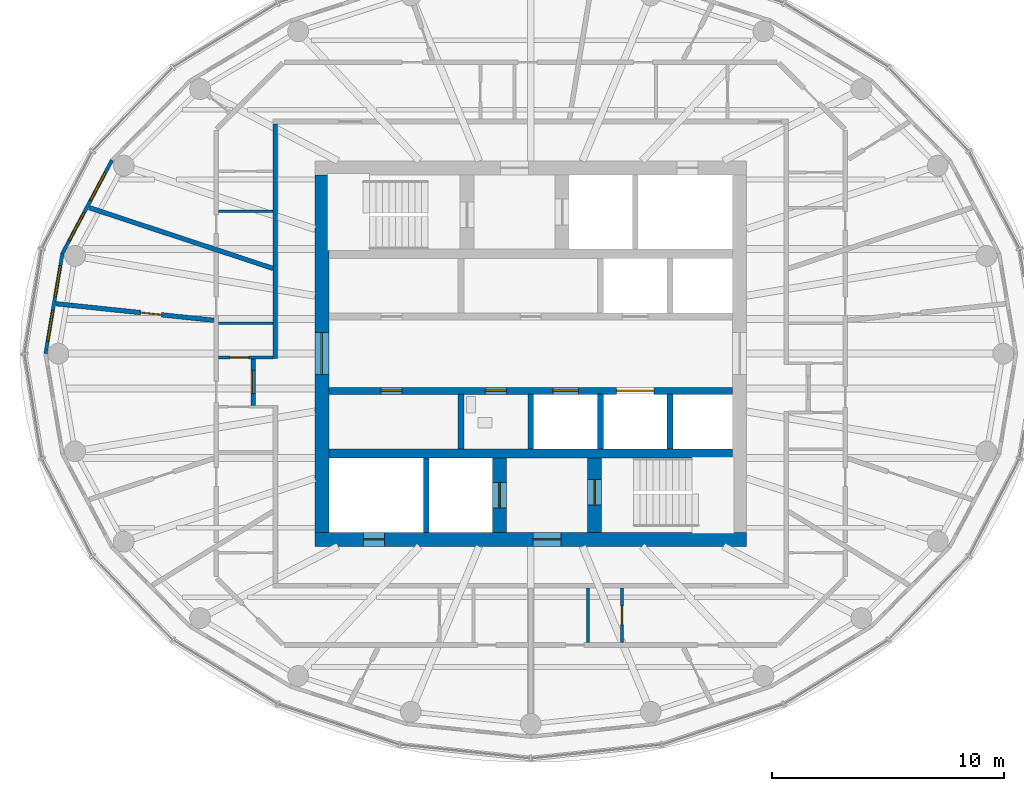
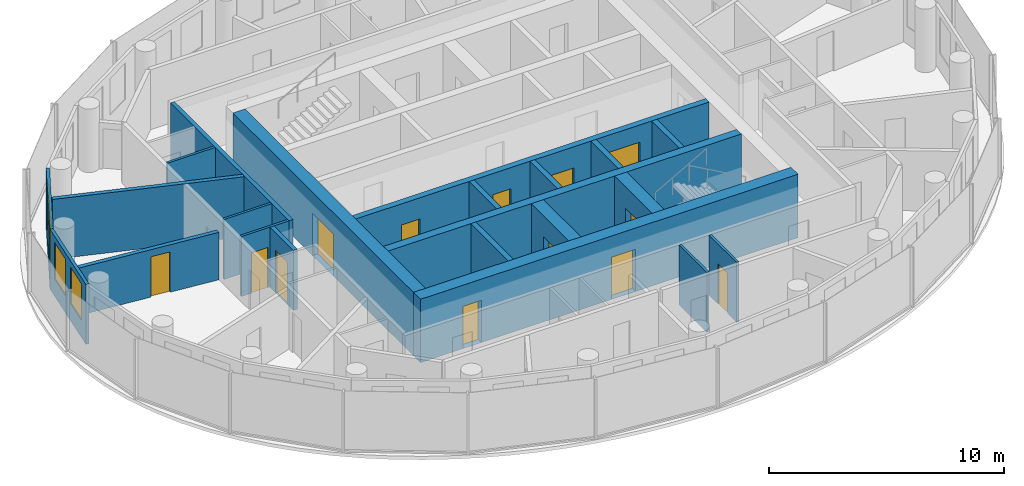
# One storey, part 6 of 12: 22 walls, 13 doors, 4 windows, 17 openings.
"""IFC4 building model written with IfcOpenShell, lengths in metres."""

from ifc_helpers import new_model, si_unit, direction, frame, frame_2d, origin, place, context, subcontext, project, spatial, rectangle, extrude, material, layer, layer_set, type_object, element, fill, save


model = new_model("IFC4")

# Units and contexts
model_context = context("Model", 3, precision=1e-05, world=origin(), true_north=direction((0.0, 1.0)))
body_context = subcontext(model_context, "Body", "Model", "MODEL_VIEW")
ifc_project = project(units=[si_unit("LENGTHUNIT", "METRE"), si_unit("AREAUNIT", "SQUARE_METRE"), si_unit("VOLUMEUNIT", "CUBIC_METRE"), si_unit("PLANEANGLEUNIT", "RADIAN"), si_unit("MASSUNIT", "GRAM", prefix="KILO")], contexts=[model_context])

# Site, building, storey
site_placement = place(None, origin())
site = spatial("IfcSite", under=ifc_project, at=site_placement, CompositionType="ELEMENT")
building_placement = place(site_placement, origin())
building = spatial("IfcBuilding", under=site, at=building_placement, Name="Hankou Lantern Tower", CompositionType="ELEMENT")
storey_placement = place(building_placement, frame((0.0, 0.0, 216.0)))
storey = spatial("IfcBuildingStorey", under=building, at=storey_placement, Name="L58", CompositionType="ELEMENT", Elevation=216.0)

# Wall, openings, doors
ifc_material_1 = material(Name="Concrete C60", Category="concrete")
ifc_layer_1 = layer(ifc_material_1, 0.60009765625)
ifc_layer_set_1 = layer_set([ifc_layer_1], Name="Concrete C60")
wall_type_1 = type_object("IfcWallType", Name="CW3 CORE WALL 600", PredefinedType="SHEAR", material=ifc_layer_set_1)
wall_1_placement = place(storey_placement, frame((9.300048828125, -8.0, 0.0), z_axis=(0.0, 0.0, 1.0), x_axis=(-1.0, 0.0, 0.0)))
wall_1 = element("IfcWall", 1, at=wall_1_placement, inside=storey, type_object=wall_type_1, Name="Core wall south L58", PredefinedType="SHEAR", context=body_context, shape_type="SweptSolid", body=[
    extrude(rectangle(XDim=18.60009765625, YDim=0.60009765625, at=frame_2d((9.300048828125, 0.0))), origin(), (0.0, 0.0, 1.0), 3.300048828125),
])
opening_1_placement = place(wall_1_placement, frame((8.0, 0.0, 0.0)))
opening_1 = element("IfcOpeningElement", 2, at=opening_1_placement, cuts=wall_1, Name="Opening D5", PredefinedType="OPENING", context=body_context, shape_type="SweptSolid", body=[
    extrude(rectangle(XDim=1.199951171875, YDim=2.199951171875, at=frame_2d((0.60009765625, 1.10009765625))), frame((0.0, 0.31005859375, 0.0), z_axis=(0.0, -1.0, 0.0), x_axis=(1.0, 0.0, 0.0)), (0.0, 0.0, 1.0), 0.6201171875),
])
opening_2_placement = place(wall_1_placement, frame((15.60009765625, 0.0, 0.0)))
opening_2 = element("IfcOpeningElement", 3, at=opening_2_placement, cuts=wall_1, Name="Opening D7", PredefinedType="OPENING", context=body_context, shape_type="SweptSolid", body=[
    extrude(rectangle(XDim=0.89990234375, YDim=2.199951171875, at=frame_2d((0.449951171875, 1.10009765625))), frame((0.0, 0.31005859375, 0.0), z_axis=(0.0, -1.0, 0.0), x_axis=(1.0, 0.0, 0.0)), (0.0, 0.0, 1.0), 0.6201171875),
])
ifc_material_2 = material(Name="Steel door leaf", Category="steel")
door_type_1 = type_object("IfcDoorType", Name="D5 STAIR LOBBY DOOR 1200X2200", OperationType="SINGLE_SWING_LEFT", PredefinedType="DOOR", material=ifc_material_2)
door_1_placement = place(opening_1_placement, origin())
door_1 = element("IfcDoor", 4, at=door_1_placement, inside=storey, type_object=door_type_1, Name="Stair B lobby door", OperationType="SINGLE_SWING_LEFT", OverallHeight=2.199951171875, OverallWidth=1.199951171875, PredefinedType="DOOR", context=body_context, shape_type="SweptSolid", body=[
    extrude(rectangle(XDim=1.199951171875, YDim=2.199951171875, at=frame_2d((0.60009765625, 1.10009765625))), frame((0.0, 0.02490234375, 0.0), z_axis=(0.0, -1.0, 0.0), x_axis=(1.0, 0.0, 0.0)), (0.0, 0.0, 1.0), 0.050048828125),
])
fill(opening_1, door_1)
ifc_material_3 = material(Name="Steel door leaf", Category="steel")
door_type_2 = type_object("IfcDoorType", Name="D7 RISER DOOR 900X2200", OperationType="SINGLE_SWING_LEFT", PredefinedType="DOOR", material=ifc_material_3)
door_2_placement = place(opening_2_placement, origin())
door_2 = element("IfcDoor", 5, at=door_2_placement, inside=storey, type_object=door_type_2, Name="Riser S1 door", OperationType="SINGLE_SWING_RIGHT", OverallHeight=2.199951171875, OverallWidth=0.89990234375, PredefinedType="DOOR", context=body_context, shape_type="SweptSolid", body=[
    extrude(rectangle(XDim=0.89990234375, YDim=2.199951171875, at=frame_2d((0.449951171875, 1.10009765625))), frame((0.0, 0.02490234375, 0.0), z_axis=(0.0, -1.0, 0.0), x_axis=(1.0, 0.0, 0.0)), (0.0, 0.0, 1.0), 0.050048828125),
])
fill(opening_2, door_2)

# Wall, opening, door
wall_2_placement = place(storey_placement, frame((-9.0, 7.699951171875, 0.0), z_axis=(0.0, 0.0, 1.0), x_axis=(0.0, -1.0, 0.0)))
wall_2 = element("IfcWall", 6, at=wall_2_placement, inside=storey, type_object=wall_type_1, Name="Core wall west L58", PredefinedType="SHEAR", context=body_context, shape_type="SweptSolid", body=[
    extrude(rectangle(XDim=15.39990234375, YDim=0.60009765625, at=frame_2d((7.699951171875, 0.0))), origin(), (0.0, 0.0, 1.0), 3.300048828125),
])
opening_3_placement = place(wall_2_placement, frame((6.800048828125, 0.0, 0.0)))
opening_3 = element("IfcOpeningElement", 7, at=opening_3_placement, cuts=wall_2, Name="Opening D6", PredefinedType="OPENING", context=body_context, shape_type="SweptSolid", body=[
    extrude(rectangle(XDim=1.800048828125, YDim=2.199951171875, at=frame_2d((0.89990234375, 1.10009765625))), frame((0.0, 0.31005859375, 0.0), z_axis=(0.0, -1.0, 0.0), x_axis=(1.0, 0.0, 0.0)), (0.0, 0.0, 1.0), 0.6201171875),
])
ifc_material_4 = material(Name="Steel door leaf", Category="steel")
door_type_3 = type_object("IfcDoorType", Name="D6 LIFT LOBBY DOOR 1800X2200", OperationType="DOUBLE_DOOR_DOUBLE_SWING", PredefinedType="DOOR", material=ifc_material_4)
door_3_placement = place(opening_3_placement, origin())
door_3 = element("IfcDoor", 8, at=door_3_placement, inside=storey, type_object=door_type_3, Name="Lift lobby west door", OperationType="DOUBLE_DOOR_DOUBLE_SWING", OverallHeight=2.199951171875, OverallWidth=1.800048828125, PredefinedType="DOOR", context=body_context, shape_type="SweptSolid", body=[
    extrude(rectangle(XDim=1.800048828125, YDim=2.199951171875, at=frame_2d((0.89990234375, 1.10009765625))), frame((0.0, 0.02490234375, 0.0), z_axis=(0.0, -1.0, 0.0), x_axis=(1.0, 0.0, 0.0)), (0.0, 0.0, 1.0), 0.050048828125),
])
fill(opening_3, door_3)

# Wall
ifc_material_5 = material(Name="Concrete C60", Category="concrete")
ifc_layer_2 = layer(ifc_material_5, 0.39990234375)
ifc_layer_set_2 = layer_set([ifc_layer_2], Name="Concrete C60")
wall_type_2 = type_object("IfcWallType", Name="CW4 CORE CROSS WALL 400", PredefinedType="SHEAR", material=ifc_layer_set_2)
wall_3_placement = place(storey_placement, frame((-8.699951171875, -4.300048828125, 0.0), z_axis=(0.0, 0.0, 1.0), x_axis=(1.0, 0.0, 0.0)))
element("IfcWall", 9, at=wall_3_placement, inside=storey, type_object=wall_type_2, Name="Core band wall south L58", PredefinedType="SHEAR", context=body_context, shape_type="SweptSolid", body=[
    extrude(rectangle(XDim=17.39990234375, YDim=0.39990234375, at=frame_2d((8.699951171875, 0.0))), origin(), (0.0, 0.0, 1.0), 3.300048828125),
])

# Wall, openings, doors
ifc_material_6 = material(Name="Concrete C60", Category="concrete")
ifc_layer_3 = layer(ifc_material_6, 0.300048828125)
ifc_layer_set_3 = layer_set([ifc_layer_3], Name="Concrete C60")
wall_type_3 = type_object("IfcWallType", Name="CW5 LIFT LOBBY WALL 300", PredefinedType="SHEAR", material=ifc_layer_set_3)
wall_4_placement = place(storey_placement, frame((-8.699951171875, -1.60009765625, 0.0), z_axis=(0.0, 0.0, 1.0), x_axis=(1.0, 0.0, 0.0)))
wall_4 = element("IfcWall", 10, at=wall_4_placement, inside=storey, type_object=wall_type_3, Name="Lift lobby wall south L58", PredefinedType="SHEAR", context=body_context, shape_type="SweptSolid", body=[
    extrude(rectangle(XDim=17.39990234375, YDim=0.300048828125, at=frame_2d((8.699951171875, 0.0))), origin(), (0.0, 0.0, 1.0), 3.300048828125),
])
opening_4_placement = place(wall_4_placement, frame((9.64990234375, 0.0, 0.0)))
opening_4 = element("IfcOpeningElement", 11, at=opening_4_placement, cuts=wall_4, Name="Opening LD1", PredefinedType="OPENING", context=body_context, shape_type="SweptSolid", body=[
    extrude(rectangle(XDim=1.10009765625, YDim=2.199951171875, at=frame_2d((0.550048828125, 1.10009765625))), frame((0.0, 0.159912109375, 0.0), z_axis=(0.0, -1.0, 0.0), x_axis=(1.0, 0.0, 0.0)), (0.0, 0.0, 1.0), 0.320068359375),
])
opening_5_placement = place(wall_4_placement, frame((12.39990234375, 0.0, 0.0)))
opening_5 = element("IfcOpeningElement", 12, at=opening_5_placement, cuts=wall_4, Name="Opening LD4", PredefinedType="OPENING", context=body_context, shape_type="SweptSolid", body=[
    extrude(rectangle(XDim=1.60009765625, YDim=2.39990234375, at=frame_2d((0.800048828125, 1.199951171875))), frame((0.0, 0.159912109375, 0.0), z_axis=(0.0, -1.0, 0.0), x_axis=(1.0, 0.0, 0.0)), (0.0, 0.0, 1.0), 0.320068359375),
])
opening_6_placement = place(wall_4_placement, frame((2.25, 0.0, 0.0)))
opening_6 = element("IfcOpeningElement", 13, at=opening_6_placement, cuts=wall_4, Name="Opening D30", PredefinedType="OPENING", context=body_context, shape_type="SweptSolid", body=[
    extrude(rectangle(XDim=0.89990234375, YDim=2.199951171875, at=frame_2d((0.449951171875, 1.10009765625))), frame((0.0, 0.159912109375, 0.0), z_axis=(0.0, -1.0, 0.0), x_axis=(1.0, 0.0, 0.0)), (0.0, 0.0, 1.0), 0.320068359375),
])
opening_7_placement = place(wall_4_placement, frame((6.75, 0.0, 0.0)))
opening_7 = element("IfcOpeningElement", 14, at=opening_7_placement, cuts=wall_4, Name="Opening D30", PredefinedType="OPENING", context=body_context, shape_type="SweptSolid", body=[
    extrude(rectangle(XDim=0.89990234375, YDim=2.199951171875, at=frame_2d((0.449951171875, 1.10009765625))), frame((0.0, 0.159912109375, 0.0), z_axis=(0.0, -1.0, 0.0), x_axis=(1.0, 0.0, 0.0)), (0.0, 0.0, 1.0), 0.320068359375),
])
ifc_material_7 = material(Name="Steel door leaf", Category="steel")
door_type_4 = type_object("IfcDoorType", Name="D30 CORE ROOM DOOR 900X2200", OperationType="SINGLE_SWING_LEFT", PredefinedType="DOOR", material=ifc_material_7)
door_4_placement = place(opening_6_placement, origin())
door_4 = element("IfcDoor", 15, at=door_4_placement, inside=storey, type_object=door_type_4, Name="Housekeeping and linen store door", OperationType="SINGLE_SWING_LEFT", OverallHeight=2.199951171875, OverallWidth=0.89990234375, PredefinedType="DOOR", context=body_context, shape_type="SweptSolid", body=[
    extrude(rectangle(XDim=0.89990234375, YDim=2.199951171875, at=frame_2d((0.449951171875, 1.10009765625))), frame((0.0, 0.02490234375, 0.0), z_axis=(0.0, -1.0, 0.0), x_axis=(1.0, 0.0, 0.0)), (0.0, 0.0, 1.0), 0.050048828125),
])
fill(opening_6, door_4)
door_5_placement = place(opening_7_placement, origin())
door_5 = element("IfcDoor", 16, at=door_5_placement, inside=storey, type_object=door_type_4, Name="Accessible staff WC door", OperationType="SINGLE_SWING_LEFT", OverallHeight=2.199951171875, OverallWidth=0.89990234375, PredefinedType="DOOR", context=body_context, shape_type="SweptSolid", body=[
    extrude(rectangle(XDim=0.89990234375, YDim=2.199951171875, at=frame_2d((0.449951171875, 1.10009765625))), frame((0.0, 0.02490234375, 0.0), z_axis=(0.0, -1.0, 0.0), x_axis=(1.0, 0.0, 0.0)), (0.0, 0.0, 1.0), 0.050048828125),
])
fill(opening_7, door_5)
ifc_material_8 = material(Name="Steel door leaf", Category="steel")
door_type_5 = type_object("IfcDoorType", Name="LD1 LIFT LANDING DOOR 1100X2200", OperationType="DOUBLE_DOOR_SLIDING", PredefinedType="DOOR", material=ifc_material_8)
door_6_placement = place(opening_4_placement, origin())
door_6 = element("IfcDoor", 17, at=door_6_placement, inside=storey, type_object=door_type_5, Name="Lift T2 landing door", OperationType="DOUBLE_DOOR_SLIDING", OverallHeight=2.199951171875, OverallWidth=1.10009765625, PredefinedType="DOOR", context=body_context, shape_type="SweptSolid", body=[
    extrude(rectangle(XDim=1.10009765625, YDim=2.199951171875, at=frame_2d((0.550048828125, 1.10009765625))), frame((0.0, 0.02490234375, 0.0), z_axis=(0.0, -1.0, 0.0), x_axis=(1.0, 0.0, 0.0)), (0.0, 0.0, 1.0), 0.050048828125),
])
fill(opening_4, door_6)
ifc_material_9 = material(Name="Steel door leaf", Category="steel")
door_type_6 = type_object("IfcDoorType", Name="LD4 SERVICE LIFT LANDING DOOR 1600X2400", OperationType="DOUBLE_DOOR_SLIDING", PredefinedType="DOOR", material=ifc_material_9)
door_7_placement = place(opening_5_placement, origin())
door_7 = element("IfcDoor", 18, at=door_7_placement, inside=storey, type_object=door_type_6, Name="Lift SV1 landing door", OperationType="DOUBLE_DOOR_SLIDING", OverallHeight=2.39990234375, OverallWidth=1.60009765625, PredefinedType="DOOR", context=body_context, shape_type="SweptSolid", body=[
    extrude(rectangle(XDim=1.60009765625, YDim=2.39990234375, at=frame_2d((0.800048828125, 1.199951171875))), frame((0.0, 0.02490234375, 0.0), z_axis=(0.0, -1.0, 0.0), x_axis=(1.0, 0.0, 0.0)), (0.0, 0.0, 1.0), 0.050048828125),
])
fill(opening_5, door_7)

# Wall, opening, door
ifc_material_10 = material(Name="Concrete C60", Category="concrete")
ifc_layer_4 = layer(ifc_material_10, 0.60009765625)
ifc_layer_set_4 = layer_set([ifc_layer_4], Name="Concrete C60")
wall_type_4 = type_object("IfcWallType", Name="CW6 STAIR AND SHAFT WALL 600", PredefinedType="SHEAR", material=ifc_layer_set_4)
wall_5_placement = place(storey_placement, frame((2.75, -7.699951171875, 0.0), z_axis=(0.0, 0.0, 1.0), x_axis=(0.0, 1.0, 0.0)))
wall_5 = element("IfcWall", 19, at=wall_5_placement, inside=storey, type_object=wall_type_4, Name="Stair wall L58", PredefinedType="SHEAR", context=body_context, shape_type="SweptSolid", body=[
    extrude(rectangle(XDim=3.199951171875, YDim=0.60009765625, at=frame_2d((1.60009765625, 0.0))), origin(), (0.0, 0.0, 1.0), 3.300048828125),
])
opening_8_placement = place(wall_5_placement, frame((1.175048828125, 0.0, 0.0)))
opening_8 = element("IfcOpeningElement", 20, at=opening_8_placement, cuts=wall_5, Name="Opening D4", PredefinedType="OPENING", context=body_context, shape_type="SweptSolid", body=[
    extrude(rectangle(XDim=1.10009765625, YDim=2.199951171875, at=frame_2d((0.550048828125, 1.10009765625))), frame((0.0, 0.31005859375, 0.0), z_axis=(0.0, -1.0, 0.0), x_axis=(1.0, 0.0, 0.0)), (0.0, 0.0, 1.0), 0.6201171875),
])
ifc_material_11 = material(Name="Steel door leaf", Category="steel")
door_type_7 = type_object("IfcDoorType", Name="D4 STAIR DOOR 1100X2200", OperationType="SINGLE_SWING_LEFT", PredefinedType="DOOR", material=ifc_material_11)
door_8_placement = place(opening_8_placement, origin())
door_8 = element("IfcDoor", 21, at=door_8_placement, inside=storey, type_object=door_type_7, Name="Stair B door", OperationType="SINGLE_SWING_RIGHT", OverallHeight=2.199951171875, OverallWidth=1.10009765625, PredefinedType="DOOR", context=body_context, shape_type="SweptSolid", body=[
    extrude(rectangle(XDim=1.10009765625, YDim=2.199951171875, at=frame_2d((0.550048828125, 1.10009765625))), frame((0.0, 0.02490234375, 0.0), z_axis=(0.0, -1.0, 0.0), x_axis=(1.0, 0.0, 0.0)), (0.0, 0.0, 1.0), 0.050048828125),
])
fill(opening_8, door_8)

wall_6_placement = place(storey_placement, frame((-1.35009765625, -7.699951171875, 0.0), z_axis=(0.0, 0.0, 1.0), x_axis=(0.0, 1.0, 0.0)))
wall_6 = element("IfcWall", 22, at=wall_6_placement, inside=storey, type_object=wall_type_4, Name="Firefighting lift shaft wall L58", PredefinedType="SHEAR", context=body_context, shape_type="SweptSolid", body=[
    extrude(rectangle(XDim=3.199951171875, YDim=0.60009765625, at=frame_2d((1.60009765625, 0.0))), origin(), (0.0, 0.0, 1.0), 3.300048828125),
])
opening_9_placement = place(wall_6_placement, frame((1.050048828125, 0.0, 0.0)))
opening_9 = element("IfcOpeningElement", 23, at=opening_9_placement, cuts=wall_6, Name="Opening LD2", PredefinedType="OPENING", context=body_context, shape_type="SweptSolid", body=[
    extrude(rectangle(XDim=1.10009765625, YDim=2.199951171875, at=frame_2d((0.550048828125, 1.10009765625))), frame((0.0, 0.31005859375, 0.0), z_axis=(0.0, -1.0, 0.0), x_axis=(1.0, 0.0, 0.0)), (0.0, 0.0, 1.0), 0.6201171875),
])
ifc_material_12 = material(Name="Steel door leaf", Category="steel")
door_type_8 = type_object("IfcDoorType", Name="LD2 FIREFIGHTING LIFT LANDING DOOR 1100X2200", OperationType="DOUBLE_DOOR_SLIDING", PredefinedType="DOOR", material=ifc_material_12)
door_9_placement = place(opening_9_placement, origin())
door_9 = element("IfcDoor", 24, at=door_9_placement, inside=storey, type_object=door_type_8, Name="Firefighting lift FL2 landing door", OperationType="DOUBLE_DOOR_SLIDING", OverallHeight=2.199951171875, OverallWidth=1.10009765625, PredefinedType="DOOR", context=body_context, shape_type="SweptSolid", body=[
    extrude(rectangle(XDim=1.10009765625, YDim=2.199951171875, at=frame_2d((0.550048828125, 1.10009765625))), frame((0.0, 0.02490234375, 0.0), z_axis=(0.0, -1.0, 0.0), x_axis=(1.0, 0.0, 0.0)), (0.0, 0.0, 1.0), 0.050048828125),
])
fill(opening_9, door_9)

# Wall, openings, windows
ifc_material_13 = material(Name="Aluminium spandrel panel on steel studs", Category="steel")
ifc_layer_5 = layer(ifc_material_13, 0.14990234375)
ifc_layer_set_5 = layer_set([ifc_layer_5], Name="Aluminium spandrel panel on steel studs")
wall_type_5 = type_object("IfcWallType", Name="EW1 INNER SKIN WALL 150", PredefinedType="ELEMENTEDWALL", material=ifc_layer_set_5)
wall_7_placement = place(storey_placement, frame((-18.03955078125, 8.33203125, 0.0), z_axis=(0.0, 0.0, 1.0), x_axis=(-0.469256152955, -0.883062094597, 0.0)))
wall_7 = element("IfcWall", 25, at=wall_7_placement, inside=storey, type_object=wall_type_5, Name="Inner skin R11-R12 L58", PredefinedType="ELEMENTEDWALL", context=body_context, shape_type="SweptSolid", body=[
    extrude(rectangle(XDim=4.539306640625, YDim=0.14990234375, at=frame_2d((2.26953125, 0.0))), origin(), (0.0, 0.0, 1.0), 3.1201171875),
])
opening_10_placement = place(wall_7_placement, frame((0.61962890625, 0.0, 0.89990234375)))
opening_10 = element("IfcOpeningElement", 26, at=opening_10_placement, cuts=wall_7, Name="Opening W4", PredefinedType="OPENING", context=body_context, shape_type="SweptSolid", body=[
    extrude(rectangle(XDim=1.35009765625, YDim=1.89990234375, at=frame_2d((0.675048828125, 0.949951171875))), frame((0.0, 0.0849609375, 0.0), z_axis=(0.0, -1.0, 0.0), x_axis=(1.0, 0.0, 0.0)), (0.0, 0.0, 1.0), 0.169921875),
])
opening_11_placement = place(wall_7_placement, frame((2.569580078125, 0.0, 0.89990234375)))
opening_11 = element("IfcOpeningElement", 27, at=opening_11_placement, cuts=wall_7, Name="Opening W4", PredefinedType="OPENING", context=body_context, shape_type="SweptSolid", body=[
    extrude(rectangle(XDim=1.35009765625, YDim=1.89990234375, at=frame_2d((0.675048828125, 0.949951171875))), frame((0.0, 0.0849609375, 0.0), z_axis=(0.0, -1.0, 0.0), x_axis=(1.0, 0.0, 0.0)), (0.0, 0.0, 1.0), 0.169921875),
])
ifc_material_14 = material(Name="Aluminium framed double glazed window", Category="aluminium")
window_type = type_object("IfcWindowType", Name="W4 SUITE WINDOW 1350X1900", PartitioningType="DOUBLE_PANEL_VERTICAL", PredefinedType="WINDOW", material=ifc_material_14)
window_1_placement = place(opening_10_placement, origin())
window_1 = element("IfcWindow", 28, at=window_1_placement, inside=storey, type_object=window_type, Name="Window R11.1 L58", OverallHeight=1.89990234375, OverallWidth=1.35009765625, PartitioningType="SINGLE_PANEL", PredefinedType="WINDOW", context=body_context, shape_type="SweptSolid", body=[
    extrude(rectangle(XDim=1.35009765625, YDim=1.89990234375, at=frame_2d((0.675048828125, 0.949951171875))), frame((0.0, 0.030029296875, 0.0), z_axis=(0.0, -1.0, 0.0), x_axis=(1.0, 0.0, 0.0)), (0.0, 0.0, 1.0), 0.06005859375),
])
fill(opening_10, window_1)
window_2_placement = place(opening_11_placement, origin())
window_2 = element("IfcWindow", 29, at=window_2_placement, inside=storey, type_object=window_type, Name="Window R11.2 L58", OverallHeight=1.89990234375, OverallWidth=1.35009765625, PartitioningType="SINGLE_PANEL", PredefinedType="WINDOW", context=body_context, shape_type="SweptSolid", body=[
    extrude(rectangle(XDim=1.35009765625, YDim=1.89990234375, at=frame_2d((0.675048828125, 0.949951171875))), frame((0.0, 0.030029296875, 0.0), z_axis=(0.0, -1.0, 0.0), x_axis=(1.0, 0.0, 0.0)), (0.0, 0.0, 1.0), 0.06005859375),
])
fill(opening_11, window_2)

wall_8_placement = place(storey_placement, frame((-20.169677734375, 4.323486328125, 0.0), z_axis=(0.0, 0.0, 1.0), x_axis=(-0.166538513568, -0.986034950445, 0.0)))
wall_8 = element("IfcWall", 30, at=wall_8_placement, inside=storey, type_object=wall_type_5, Name="Inner skin R12-R13 L58", PredefinedType="ELEMENTEDWALL", context=body_context, shape_type="SweptSolid", body=[
    extrude(rectangle(XDim=4.384765625, YDim=0.14990234375, at=frame_2d((2.1923828125, 0.0))), origin(), (0.0, 0.0, 1.0), 3.1201171875),
])
opening_12_placement = place(wall_8_placement, frame((0.54248046875, 0.0, 0.89990234375)))
opening_12 = element("IfcOpeningElement", 31, at=opening_12_placement, cuts=wall_8, Name="Opening W4", PredefinedType="OPENING", context=body_context, shape_type="SweptSolid", body=[
    extrude(rectangle(XDim=1.35009765625, YDim=1.89990234375, at=frame_2d((0.675048828125, 0.949951171875))), frame((0.0, 0.0849609375, 0.0), z_axis=(0.0, -1.0, 0.0), x_axis=(1.0, 0.0, 0.0)), (0.0, 0.0, 1.0), 0.169921875),
])
opening_13_placement = place(wall_8_placement, frame((2.492431640625, 0.0, 0.89990234375)))
opening_13 = element("IfcOpeningElement", 32, at=opening_13_placement, cuts=wall_8, Name="Opening W4", PredefinedType="OPENING", context=body_context, shape_type="SweptSolid", body=[
    extrude(rectangle(XDim=1.35009765625, YDim=1.89990234375, at=frame_2d((0.675048828125, 0.949951171875))), frame((0.0, 0.0849609375, 0.0), z_axis=(0.0, -1.0, 0.0), x_axis=(1.0, 0.0, 0.0)), (0.0, 0.0, 1.0), 0.169921875),
])
window_3_placement = place(opening_12_placement, origin())
window_3 = element("IfcWindow", 33, at=window_3_placement, inside=storey, type_object=window_type, Name="Window R12.1 L58", OverallHeight=1.89990234375, OverallWidth=1.35009765625, PartitioningType="SINGLE_PANEL", PredefinedType="WINDOW", context=body_context, shape_type="SweptSolid", body=[
    extrude(rectangle(XDim=1.35009765625, YDim=1.89990234375, at=frame_2d((0.675048828125, 0.949951171875))), frame((0.0, 0.030029296875, 0.0), z_axis=(0.0, -1.0, 0.0), x_axis=(1.0, 0.0, 0.0)), (0.0, 0.0, 1.0), 0.06005859375),
])
fill(opening_12, window_3)
window_4_placement = place(opening_13_placement, origin())
window_4 = element("IfcWindow", 34, at=window_4_placement, inside=storey, type_object=window_type, Name="Window R12.2 L58", OverallHeight=1.89990234375, OverallWidth=1.35009765625, PartitioningType="SINGLE_PANEL", PredefinedType="WINDOW", context=body_context, shape_type="SweptSolid", body=[
    extrude(rectangle(XDim=1.35009765625, YDim=1.89990234375, at=frame_2d((0.675048828125, 0.949951171875))), frame((0.0, 0.030029296875, 0.0), z_axis=(0.0, -1.0, 0.0), x_axis=(1.0, 0.0, 0.0)), (0.0, 0.0, 1.0), 0.06005859375),
])
fill(opening_13, window_4)

# Walls
ifc_material_15 = material(Name="Masonry lightweight concrete block", Category="masonry")
ifc_layer_6 = layer(ifc_material_15, 0.199951171875)
ifc_layer_set_6 = layer_set([ifc_layer_6], Name="Masonry lightweight concrete block")
wall_type_6 = type_object("IfcWallType", Name="IW1 GUEST ROOM PARTY WALL 200", PredefinedType="PARTITIONING", material=ifc_layer_set_6)
wall_9_placement = place(storey_placement, frame((-11.10009765625, 3.668701171875, 0.0), z_axis=(0.0, 0.0, 1.0), x_axis=(-0.949476668397, 0.313837627079, 0.0)))
element("IfcWall", 35, at=wall_9_placement, inside=storey, type_object=wall_type_6, Name="Party wall R11-R12", PredefinedType="PARTITIONING", context=body_context, shape_type="SweptSolid", body=[
    extrude(rectangle(XDim=8.338623046875, YDim=0.199951171875, at=frame_2d((4.16943359375, 0.0))), origin(), (0.0, 0.0, 1.0), 3.1201171875),
])
ifc_material_16 = material(Name="Masonry lightweight concrete block", Category="masonry")
ifc_layer_7 = layer(ifc_material_16, 0.199951171875)
ifc_layer_set_7 = layer_set([ifc_layer_7], Name="Masonry lightweight concrete block")
wall_type_7 = type_object("IfcWallType", Name="IW2 CORRIDOR WALL 200", PredefinedType="PARTITIONING", material=ifc_layer_set_7)
wall_10_placement = place(storey_placement, frame((-11.0, 9.89990234375, 0.0), z_axis=(0.0, 0.0, 1.0), x_axis=(0.0, -1.0, 0.0)))
element("IfcWall", 36, at=wall_10_placement, inside=storey, type_object=wall_type_7, Name="Corridor wall west", PredefinedType="PARTITIONING", context=body_context, shape_type="SweptSolid", body=[
    extrude(rectangle(XDim=10.1142578125, YDim=0.199951171875, at=frame_2d((5.05712890625, 0.0))), origin(), (0.0, 0.0, 1.0), 3.1201171875),
])

# Wall, opening, door
wall_11_placement = place(storey_placement, frame((-11.949951171875, -0.224365234375, 0.0), z_axis=(0.0, 0.0, 1.0), x_axis=(0.0, -1.0, 0.0)))
wall_11 = element("IfcWall", 37, at=wall_11_placement, inside=storey, type_object=wall_type_7, Name="Suite entrance recess wall 5803", PredefinedType="PARTITIONING", context=body_context, shape_type="SweptSolid", body=[
    extrude(rectangle(XDim=2.0, YDim=0.199951171875, at=frame_2d((1.0, 0.0))), origin(), (0.0, 0.0, 1.0), 3.1201171875),
])
opening_14_placement = place(wall_11_placement, frame((0.5, 0.0, 0.0)))
opening_14 = element("IfcOpeningElement", 38, at=opening_14_placement, cuts=wall_11, Name="Opening D2", PredefinedType="OPENING", context=body_context, shape_type="SweptSolid", body=[
    extrude(rectangle(XDim=1.0, YDim=2.199951171875, at=frame_2d((0.5, 1.10009765625))), frame((0.0, 0.10986328125, 0.0), z_axis=(0.0, -1.0, 0.0), x_axis=(1.0, 0.0, 0.0)), (0.0, 0.0, 1.0), 0.219970703125),
])
ifc_material_17 = material(Name="Steel door leaf", Category="steel")
door_type_9 = type_object("IfcDoorType", Name="D2 SUITE DOOR 1000X2200", OperationType="SINGLE_SWING_LEFT", PredefinedType="DOOR", material=ifc_material_17)
door_10_placement = place(opening_14_placement, origin())
door_10 = element("IfcDoor", 39, at=door_10_placement, inside=storey, type_object=door_type_9, Name="Suite door 5803", OperationType="SINGLE_SWING_LEFT", OverallHeight=2.199951171875, OverallWidth=1.0, PredefinedType="DOOR", context=body_context, shape_type="SweptSolid", body=[
    extrude(rectangle(XDim=1.0, YDim=2.199951171875, at=frame_2d((0.5, 1.10009765625))), frame((0.0, 0.02490234375, 0.0), z_axis=(0.0, -1.0, 0.0), x_axis=(1.0, 0.0, 0.0)), (0.0, 0.0, 1.0), 0.050048828125),
])
fill(opening_14, door_10)

# Walls
ifc_material_18 = material(Name="Masonry lightweight concrete block", Category="masonry")
ifc_layer_8 = layer(ifc_material_18, 0.1201171875)
ifc_layer_set_8 = layer_set([ifc_layer_8], Name="Masonry lightweight concrete block")
wall_type_8 = type_object("IfcWallType", Name="IW3 BATHROOM WALL 120", PredefinedType="PARTITIONING", material=ifc_layer_set_8)
for number, where, z_axis, x_axis, name in (
    (40, (-11.10009765625, 6.13525390625, 0.0), (0.0, 0.0, 1.0), (-1.0, 0.0, 0.0), "Box wall 5802 4"),
    (41, (-11.10009765625, 1.3056640625, 0.0), (0.0, 0.0, 1.0), (-1.0, 0.0, 0.0), "Box wall 5803 1"),
):
    element("IfcWall", number, at=place(storey_placement, frame(where, z_axis=z_axis, x_axis=x_axis)), inside=storey, type_object=wall_type_8, Name=name, PredefinedType="PARTITIONING", context=body_context, shape_type="SweptSolid", body=[
        extrude(rectangle(XDim=2.349853515625, YDim=0.1201171875, at=frame_2d((1.1748046875, 0.0))), origin(), (0.0, 0.0, 1.0), 3.1201171875),
    ])

# Wall, opening, door
wall_12_placement = place(storey_placement, frame((-11.10009765625, -0.164306640625, 0.0), z_axis=(0.0, 0.0, 1.0), x_axis=(-1.0, 0.0, 0.0)))
wall_12 = element("IfcWall", 42, at=wall_12_placement, inside=storey, type_object=wall_type_8, Name="Box wall 5803 2", PredefinedType="PARTITIONING", context=body_context, shape_type="SweptSolid", body=[
    extrude(rectangle(XDim=2.349853515625, YDim=0.1201171875, at=frame_2d((1.1748046875, 0.0))), origin(), (0.0, 0.0, 1.0), 3.1201171875),
])
opening_15_placement = place(wall_12_placement, frame((1.050048828125, 0.0, 0.0)))
opening_15 = element("IfcOpeningElement", 43, at=opening_15_placement, cuts=wall_12, Name="Opening D3", PredefinedType="OPENING", context=body_context, shape_type="SweptSolid", body=[
    extrude(rectangle(XDim=0.800048828125, YDim=2.10009765625, at=frame_2d((0.39990234375, 1.050048828125))), frame((0.0, 0.070068359375, 0.0), z_axis=(0.0, -1.0, 0.0), x_axis=(1.0, 0.0, 0.0)), (0.0, 0.0, 1.0), 0.14013671875),
])
ifc_material_19 = material(Name="Timber door leaf", Category="wood")
door_type_10 = type_object("IfcDoorType", Name="D3 BATHROOM DOOR 800X2100", OperationType="SINGLE_SWING_LEFT", PredefinedType="DOOR", material=ifc_material_19)
door_11_placement = place(opening_15_placement, origin())
door_11 = element("IfcDoor", 44, at=door_11_placement, inside=storey, type_object=door_type_10, Name="Family suite 5803 guest WC door", OperationType="SINGLE_SWING_LEFT", OverallHeight=2.10009765625, OverallWidth=0.800048828125, PredefinedType="DOOR", context=body_context, shape_type="SweptSolid", body=[
    extrude(rectangle(XDim=0.800048828125, YDim=2.10009765625, at=frame_2d((0.39990234375, 1.050048828125))), frame((0.0, 0.02490234375, 0.0), z_axis=(0.0, -1.0, 0.0), x_axis=(1.0, 0.0, 0.0)), (0.0, 0.0, 1.0), 0.050048828125),
])
fill(opening_15, door_11)

# Wall
wall_13_placement = place(storey_placement, frame((2.4609375, -10.10009765625, 0.0), z_axis=(0.0, 0.0, 1.0), x_axis=(0.0, -1.0, 0.0)))
element("IfcWall", 45, at=wall_13_placement, inside=storey, type_object=wall_type_8, Name="Box wall 5805 1", PredefinedType="PARTITIONING", context=body_context, shape_type="SweptSolid", body=[
    extrude(rectangle(XDim=2.349853515625, YDim=0.1201171875, at=frame_2d((1.1748046875, 0.0))), origin(), (0.0, 0.0, 1.0), 3.1201171875),
])

# Wall, opening, door
wall_14_placement = place(storey_placement, frame((3.930908203125, -10.10009765625, 0.0), z_axis=(0.0, 0.0, 1.0), x_axis=(0.0, -1.0, 0.0)))
wall_14 = element("IfcWall", 46, at=wall_14_placement, inside=storey, type_object=wall_type_8, Name="Box wall 5805 2", PredefinedType="PARTITIONING", context=body_context, shape_type="SweptSolid", body=[
    extrude(rectangle(XDim=2.349853515625, YDim=0.1201171875, at=frame_2d((1.1748046875, 0.0))), origin(), (0.0, 0.0, 1.0), 3.1201171875),
])
opening_16_placement = place(wall_14_placement, frame((0.77001953125, 0.0, 0.0)))
opening_16 = element("IfcOpeningElement", 47, at=opening_16_placement, cuts=wall_14, Name="Opening D3", PredefinedType="OPENING", context=body_context, shape_type="SweptSolid", body=[
    extrude(rectangle(XDim=0.800048828125, YDim=2.10009765625, at=frame_2d((0.39990234375, 1.050048828125))), frame((0.0, 0.070068359375, 0.0), z_axis=(0.0, -1.0, 0.0), x_axis=(1.0, 0.0, 0.0)), (0.0, 0.0, 1.0), 0.14013671875),
])
door_12_placement = place(opening_16_placement, origin())
door_12 = element("IfcDoor", 48, at=door_12_placement, inside=storey, type_object=door_type_10, Name="Suite 5805 guest WC door", OperationType="SINGLE_SWING_LEFT", OverallHeight=2.10009765625, OverallWidth=0.800048828125, PredefinedType="DOOR", context=body_context, shape_type="SweptSolid", body=[
    extrude(rectangle(XDim=0.800048828125, YDim=2.10009765625, at=frame_2d((0.39990234375, 1.050048828125))), frame((0.0, 0.02490234375, 0.0), z_axis=(0.0, -1.0, 0.0), x_axis=(1.0, 0.0, 0.0)), (0.0, 0.0, 1.0), 0.050048828125),
])
fill(opening_16, door_12)

ifc_material_20 = material(Name="Masonry lightweight concrete block", Category="masonry")
ifc_layer_9 = layer(ifc_material_20, 0.199951171875)
ifc_layer_set_9 = layer_set([ifc_layer_9], Name="Masonry lightweight concrete block")
wall_type_9 = type_object("IfcWallType", Name="IW6 SUITE PARTITION 200", PredefinedType="PARTITIONING", material=ifc_layer_set_9)
wall_15_placement = place(storey_placement, frame((-13.64990234375, 1.433837890625, 0.0), z_axis=(0.0, 0.0, 1.0), x_axis=(-0.994526954268, 0.10448031984, 0.0)))
wall_15 = element("IfcWall", 49, at=wall_15_placement, inside=storey, type_object=wall_type_9, Name="Suite partition R12-R13", PredefinedType="PARTITIONING", context=body_context, shape_type="SweptSolid", body=[
    extrude(rectangle(XDim=6.837158203125, YDim=0.199951171875, at=frame_2d((3.41845703125, 0.0))), origin(), (0.0, 0.0, 1.0), 2.469970703125),
])
opening_17_placement = place(wall_15_placement, frame((2.27001953125, 0.0, 0.0)))
opening_17 = element("IfcOpeningElement", 50, at=opening_17_placement, cuts=wall_15, Name="Opening D27", PredefinedType="OPENING", context=body_context, shape_type="SweptSolid", body=[
    extrude(rectangle(XDim=0.89990234375, YDim=2.10009765625, at=frame_2d((0.449951171875, 1.050048828125))), frame((0.0, 0.10986328125, 0.0), z_axis=(0.0, -1.0, 0.0), x_axis=(1.0, 0.0, 0.0)), (0.0, 0.0, 1.0), 0.219970703125),
])
ifc_material_21 = material(Name="Timber door leaf", Category="wood")
door_type_11 = type_object("IfcDoorType", Name="D27 INTERNAL DOOR 900X2100", OperationType="SINGLE_SWING_LEFT", PredefinedType="DOOR", material=ifc_material_21)
door_13_placement = place(opening_17_placement, origin())
door_13 = element("IfcDoor", 51, at=door_13_placement, inside=storey, type_object=door_type_11, Name="Family suite 5803 bedroom door", OperationType="SINGLE_SWING_LEFT", OverallHeight=2.10009765625, OverallWidth=0.89990234375, PredefinedType="DOOR", context=body_context, shape_type="SweptSolid", body=[
    extrude(rectangle(XDim=0.89990234375, YDim=2.10009765625, at=frame_2d((0.449951171875, 1.050048828125))), frame((0.0, 0.02490234375, 0.0), z_axis=(0.0, -1.0, 0.0), x_axis=(1.0, 0.0, 0.0)), (0.0, 0.0, 1.0), 0.050048828125),
])
fill(opening_17, door_13)

# Walls
ifc_material_22 = material(Name="Masonry autoclaved aerated concrete block", Category="masonry")
ifc_layer_10 = layer(ifc_material_22, 0.25)
ifc_layer_set_10 = layer_set([ifc_layer_10], Name="Masonry autoclaved aerated concrete block")
wall_type_10 = type_object("IfcWallType", Name="SW1 SHAFT BLOCK WALL 250", PredefinedType="PARTITIONING", material=ifc_layer_set_10)
wall_16_placement = place(storey_placement, frame((-4.5, -7.699951171875, 0.0), z_axis=(0.0, 0.0, 1.0), x_axis=(0.0, 1.0, 0.0)))
element("IfcWall", 52, at=wall_16_placement, inside=storey, type_object=wall_type_10, Name="Riser wall L58", PredefinedType="PARTITIONING", context=body_context, shape_type="SweptSolid", body=[
    extrude(rectangle(XDim=3.199951171875, YDim=0.25, at=frame_2d((1.60009765625, 0.0))), origin(), (0.0, 0.0, 1.0), 3.300048828125),
])
for number, where, z_axis, x_axis, name in (
    (53, (-3.0, -4.10009765625, 0.0), (0.0, 0.0, 1.0), (0.0, 1.0, 0.0), "Lift shaft wall L58"),
    (54, (0.0, -4.10009765625, 0.0), (0.0, 0.0, 1.0), (0.0, 1.0, 0.0), "Lift shaft wall L58"),
    (55, (3.0, -4.10009765625, 0.0), (0.0, 0.0, 1.0), (0.0, 1.0, 0.0), "Lift shaft wall L58"),
    (56, (6.0, -4.10009765625, 0.0), (0.0, 0.0, 1.0), (0.0, 1.0, 0.0), "Lift shaft wall L58"),
):
    element("IfcWall", number, at=place(storey_placement, frame(where, z_axis=z_axis, x_axis=x_axis)), inside=storey, type_object=wall_type_10, Name=name, PredefinedType="PARTITIONING", context=body_context, shape_type="SweptSolid", body=[
        extrude(rectangle(XDim=2.35009765625, YDim=0.25, at=frame_2d((1.175048828125, 0.0))), origin(), (0.0, 0.0, 1.0), 3.300048828125),
    ])

save(model, "model.ifc")
